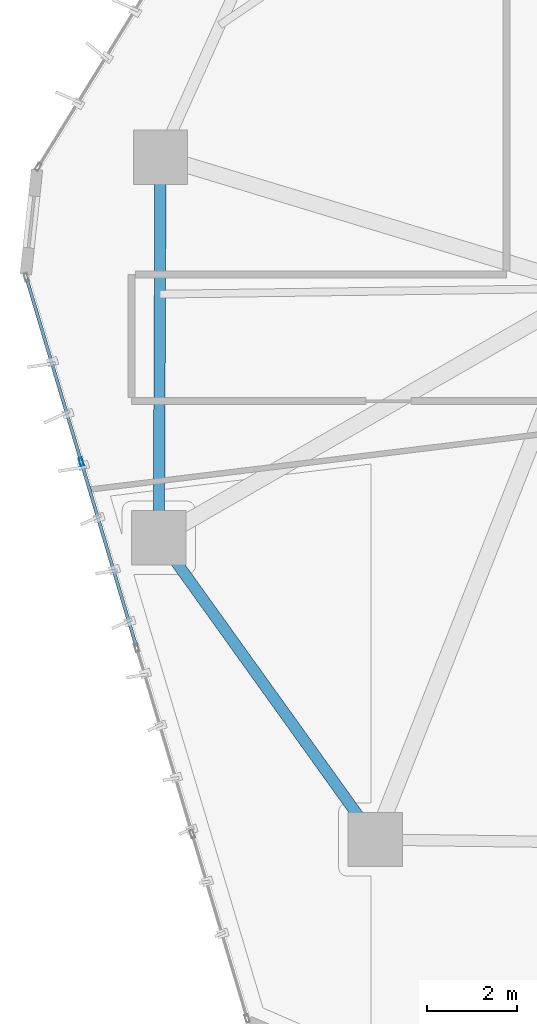
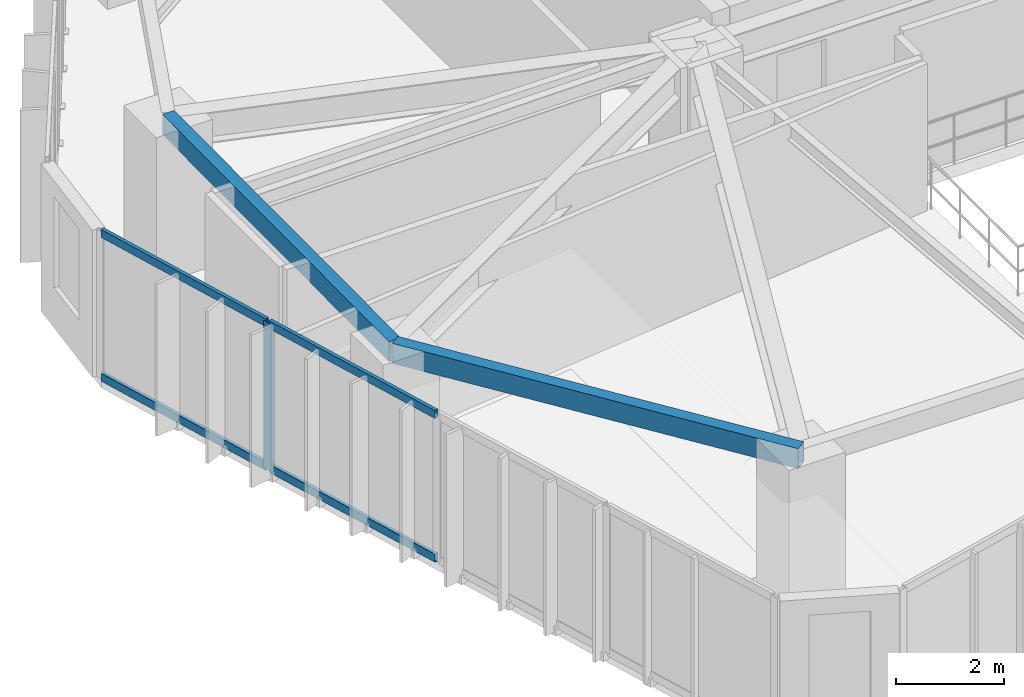
# One storey, part 3 of 20: 5 members, 2 beams, 1 element without a shape of its own.
"""IFC4 building model written with IfcOpenShell, lengths in metres."""

from ifc_helpers import new_model, si_unit, direction, frame, origin, origin_2d, place, context, subcontext, project, spatial, hollow_rectangle, extrude, source, transform, mapped, material, layer, layer_set, material_profile, profile_set, type_object, type_shapes, element, aggregate, save


model = new_model("IFC4")

# Units and contexts
model_context = context("Model", 3, precision=1e-05, world=origin(), true_north=direction((0.0, 1.0)))
body_context = subcontext(model_context, "Body", "Model", "MODEL_VIEW")
ifc_project = project(units=[si_unit("LENGTHUNIT", "METRE"), si_unit("AREAUNIT", "SQUARE_METRE"), si_unit("VOLUMEUNIT", "CUBIC_METRE"), si_unit("PLANEANGLEUNIT", "RADIAN"), si_unit("MASSUNIT", "GRAM", prefix="KILO")], contexts=[model_context])

# Site, building, storey
site_placement = place(None, origin())
site = spatial("IfcSite", under=ifc_project, at=site_placement, CompositionType="ELEMENT")
building_placement = place(site_placement, origin())
building = spatial("IfcBuilding", under=site, at=building_placement, Name="Talar Marvaseh", CompositionType="ELEMENT")
storey_placement = place(building_placement, frame((0.0, 0.0, 132.60009765625)))
storey = spatial("IfcBuildingStorey", under=building, at=storey_placement, Name="L34", CompositionType="ELEMENT", Elevation=132.60009765625)

# Beams
ifc_material_1 = material(Name="Steel S355", Category="steel")
ifc_material_profile_1 = material_profile(ifc_material_1, hollow_rectangle(XDim=0.25, YDim=0.449951171875, WallThickness=0.01611328125, at=origin_2d()), Name="RHS450x250x16")
ifc_profile_set_1 = profile_set([ifc_material_profile_1], Name="Steel S355")
beam_type = type_object("IfcBeamType", Name="Zone 2 Perimeter Spandrel Beam RHS450x250x16", PredefinedType="SPANDREL", material=ifc_profile_set_1)
beam_1_placement = place(storey_placement, frame((13.89111328125, 13.299072265625, 3.0849609375), z_axis=(-0.582852871994, 0.812577706812, 0.0), x_axis=(-0.812577706812, -0.582852871994, 0.0)))
element("IfcBeam", 1, at=beam_1_placement, inside=storey, type_object=beam_type, Name="L34 Zone 2 Perimeter Spandrel Beam RHS450x250x16", PredefinedType="SPANDREL", context=body_context, shape_type="SweptSolid", body=[
    extrude(hollow_rectangle(XDim=0.25, YDim=0.449951171875, WallThickness=0.01611328125, at=origin_2d()), origin(), (0.0, 0.0, 1.0), 8.21826171875),
])
beam_2_placement = place(storey_placement, frame((9.10107421875, 19.97705078125, 3.0849609375), z_axis=(0.004375628226, 0.999990426893, 0.0), x_axis=(-0.999990426893, 0.004375628226, 0.0)))
element("IfcBeam", 2, at=beam_2_placement, inside=storey, type_object=beam_type, Name="L34 Zone 2 Perimeter Spandrel Beam RHS450x250x16", PredefinedType="SPANDREL", context=body_context, shape_type="SweptSolid", body=[
    extrude(hollow_rectangle(XDim=0.25, YDim=0.449951171875, WallThickness=0.01611328125, at=origin_2d()), origin(), (0.0, 0.0, 1.0), 8.425048828125),
])

# Curtain wall, members
ifc_material_2 = material(Name="Architectural Aluminium", Category="aluminium")
ifc_layer = layer(ifc_material_2, 0.199951171875)
ifc_layer_set = layer_set([ifc_layer], Name="Architectural Aluminium")
curtain_wall_type = type_object("IfcCurtainWallType", Name="Unitised Acoustic Library Curtain Wall Z2", PredefinedType="NOTDEFINED", material=ifc_layer_set)
curtain_wall_placement = place(storey_placement, origin())
curtain_wall = element("IfcCurtainWall", 3, at=curtain_wall_placement, inside=storey, type_object=curtain_wall_type, Name="L34 Unitised Acoustic Library Curtain Wall Z2", PredefinedType="NOTDEFINED")
ifc_material_profile_2 = material_profile(ifc_material_2, hollow_rectangle(XDim=0.074951171875, YDim=0.179931640625, WallThickness=0.0048828125, at=origin_2d()), Name="RHS180x75x5")
ifc_profile_set_2 = profile_set([ifc_material_profile_2], Name="Architectural Aluminium")
member_type_1 = type_object("IfcMemberType", Name="Unitised Curtain Wall Transom RHS180x75x5", PredefinedType="USERDEFINED", material=ifc_profile_set_2)
shared_shape_1 = source(origin(), body_context, "Body", "SweptSolid", [
    extrude(hollow_rectangle(XDim=0.074951171875, YDim=0.179931640625, WallThickness=0.0048828125, at=origin_2d()), origin(), (0.0, 0.0, 1.0), 4.222900390625),
])
member_1_placement = place(storey_placement, frame((8.601806640625, 17.578125, 0.037353515625), z_axis=(-0.285660745904, 0.958330808359, 0.0), x_axis=(-0.958330808359, -0.285660745904, 0.0)))
member_1 = element("IfcMember", 4, at=member_1_placement, type_object=member_type_1, Name="CW-Z2 transom 3.1", ObjectType="TRANSOM", PredefinedType="USERDEFINED", context=body_context, shape_type="MappedRepresentation", body=[
    mapped(shared_shape_1, transform((0.0, 0.0, 0.0), x_axis=(1.0, 0.0, 0.0), y_axis=(0.0, 1.0, 0.0), z_axis=(0.0, 0.0, 1.0), scale=1.0)),
])
member_2_placement = place(storey_placement, frame((8.601806640625, 17.578125, 3.2724609375), z_axis=(-0.285660745904, 0.958330808359, 0.0), x_axis=(-0.958330808359, -0.285660745904, 0.0)))
member_2 = element("IfcMember", 5, at=member_2_placement, type_object=member_type_1, Name="CW-Z2 transom 3.2", ObjectType="TRANSOM", PredefinedType="USERDEFINED", context=body_context, shape_type="MappedRepresentation", body=[
    mapped(shared_shape_1, transform((0.0, 0.0, 0.0), x_axis=(1.0, 0.0, 0.0), y_axis=(0.0, 1.0, 0.0), z_axis=(0.0, 0.0, 1.0), scale=1.0)),
])
shared_shape_2 = source(origin(), body_context, "Body", "SweptSolid", [
    extrude(hollow_rectangle(XDim=0.074951171875, YDim=0.179931640625, WallThickness=0.0048828125, at=origin_2d()), origin(), (0.0, 0.0, 1.0), 4.185546875),
])
type_shapes(member_type_1, [shared_shape_1, shared_shape_2])
member_3_placement = place(storey_placement, frame((7.3740234375, 21.69677734375, 0.037353515625), z_axis=(-0.285581456806, 0.958354439406, 0.0), x_axis=(-0.958354439406, -0.285581456806, 0.0)))
member_3 = element("IfcMember", 6, at=member_3_placement, type_object=member_type_1, Name="CW-Z2 transom 4.1", ObjectType="TRANSOM", PredefinedType="USERDEFINED", context=body_context, shape_type="MappedRepresentation", body=[
    mapped(shared_shape_2, transform((0.0, 0.0, 0.0), x_axis=(1.0, 0.0, 0.0), y_axis=(0.0, 1.0, 0.0), z_axis=(0.0, 0.0, 1.0), scale=1.0)),
])
member_4_placement = place(storey_placement, frame((7.3740234375, 21.69677734375, 3.2724609375), z_axis=(-0.285581456806, 0.958354439406, 0.0), x_axis=(-0.958354439406, -0.285581456806, 0.0)))
member_4 = element("IfcMember", 7, at=member_4_placement, type_object=member_type_1, Name="CW-Z2 transom 4.2", ObjectType="TRANSOM", PredefinedType="USERDEFINED", context=body_context, shape_type="MappedRepresentation", body=[
    mapped(shared_shape_2, transform((0.0, 0.0, 0.0), x_axis=(1.0, 0.0, 0.0), y_axis=(0.0, 1.0, 0.0), z_axis=(0.0, 0.0, 1.0), scale=1.0)),
])
ifc_material_profile_3 = material_profile(ifc_material_2, hollow_rectangle(XDim=0.074951171875, YDim=0.179931640625, WallThickness=0.0048828125, at=origin_2d()), Name="RHS180x75x5")
ifc_profile_set_3 = profile_set([ifc_material_profile_3], Name="Architectural Aluminium")
member_type_2 = type_object("IfcMemberType", Name="Unitised Curtain Wall Standard Mullion RHS180x75x5", PredefinedType="MULLION", material=ifc_profile_set_3)
shared_shape_3 = source(origin(), body_context, "Body", "SweptSolid", [
    extrude(hollow_rectangle(XDim=0.074951171875, YDim=0.179931640625, WallThickness=0.0048828125, at=origin_2d()), origin(), (0.0, 0.0, 1.0), 3.309814453125),
])
type_shapes(member_type_2, [shared_shape_3])
member_5_placement = place(storey_placement, frame((7.384765625, 21.660888671875, 0.0), z_axis=(0.0, 0.0, 1.0), x_axis=(-0.958340569075, -0.28562799874, 0.0)))
member_5 = element("IfcMember", 8, at=member_5_placement, type_object=member_type_2, Name="CW-Z2 mullion 4", PredefinedType="MULLION", context=body_context, shape_type="MappedRepresentation", body=[
    mapped(shared_shape_3, transform((0.0, 0.0, 0.0), x_axis=(1.0, 0.0, 0.0), y_axis=(0.0, 1.0, 0.0), z_axis=(0.0, 0.0, 1.0), scale=1.0)),
])
aggregate(curtain_wall, [member_5, member_1, member_2, member_3, member_4])

save(model, "model.ifc")
